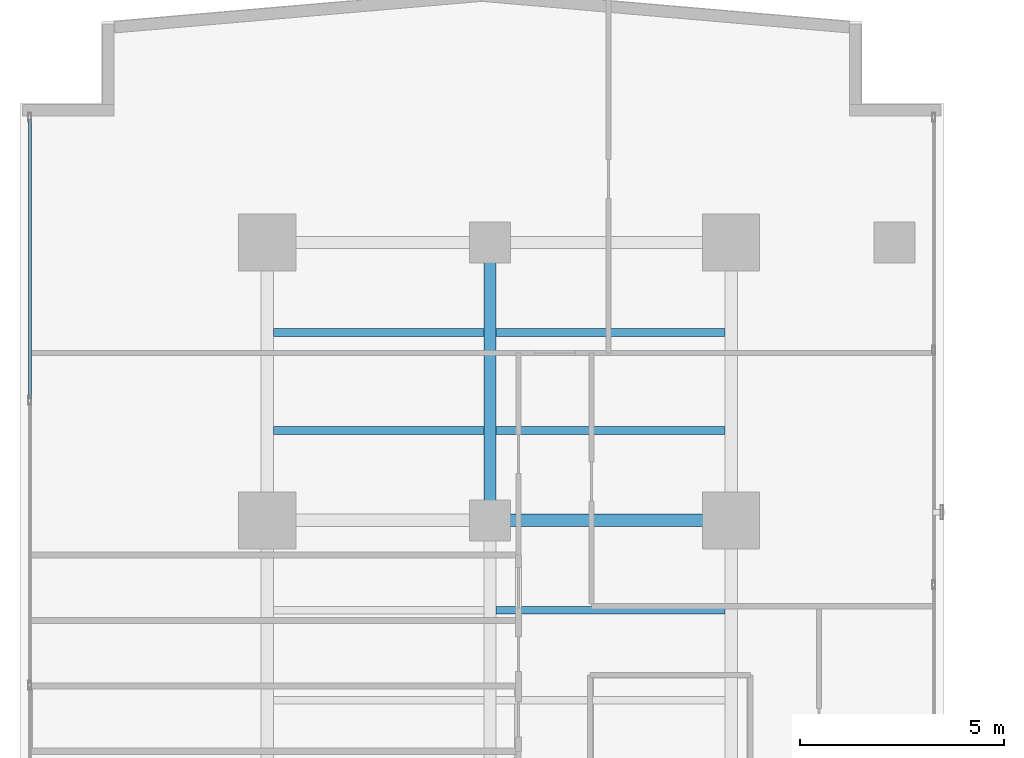
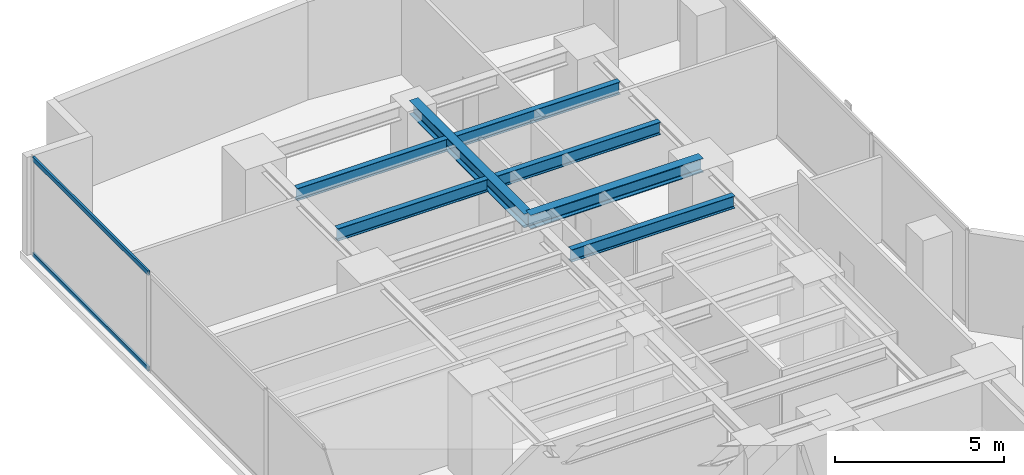
# One storey, part 17 of 28: 7 beams, 2 members, 1 element without a shape of its own.
"""IFC4 building model written with IfcOpenShell, lengths in metres."""

from ifc_helpers import new_model, si_unit, direction, frame, origin, origin_with_axes, origin_2d, place, context, subcontext, project, spatial, hollow_rectangle, i_section, extrude, source, transform, mapped, material, layer, layer_set, material_profile, profile_set, type_object, element, aggregate, save


model = new_model("IFC4")

# Units and contexts
model_context = context("Model", 3, precision=1e-05, world=origin(), true_north=direction((0.0, 1.0)))
body_context = subcontext(model_context, "Body", "Model", "MODEL_VIEW")
ifc_project = project(units=[si_unit("LENGTHUNIT", "METRE"), si_unit("AREAUNIT", "SQUARE_METRE"), si_unit("VOLUMEUNIT", "CUBIC_METRE"), si_unit("PLANEANGLEUNIT", "RADIAN"), si_unit("MASSUNIT", "GRAM", prefix="KILO")], contexts=[model_context])

# Site, building, storey
site_placement = place(None, origin())
site = spatial("IfcSite", under=ifc_project, at=site_placement, CompositionType="ELEMENT")
building_placement = place(site_placement, origin())
building = spatial("IfcBuilding", under=site, at=building_placement, Name="Kolvaren Waterfront Exchange", CompositionType="ELEMENT")
storey_placement = place(building_placement, frame((0.0, 0.0, 114.5)))
storey = spatial("IfcBuildingStorey", under=building, at=storey_placement, Name="L29", CompositionType="ELEMENT", Elevation=114.5)

# Beams
ifc_material_1 = material(Name="Steel S355", Category="steel")
ifc_material_profile_1 = material_profile(ifc_material_1, i_section(OverallWidth=0.300048828125, OverallDepth=0.5, WebThickness=0.014404296875, FlangeThickness=0.028076171875, FilletRadius=0.027099609375, at=origin_2d()), Name="HEB500")
ifc_profile_set_1 = profile_set([ifc_material_profile_1], Name="Steel S355")
beam_type_1 = type_object("IfcBeamType", Name="STR-BM-HEB500", PredefinedType="BEAM", material=ifc_profile_set_1)
beam_1_placement = place(storey_placement, frame((12.89990234375, 37.800048828125, 3.2900390625), z_axis=(1.0, 0.0, 0.0), x_axis=(0.0, 1.0, 0.0)))
element("IfcBeam", 1, at=beam_1_placement, inside=storey, type_object=beam_type_1, Name="L29 north-arm girder 3B", PredefinedType="BEAM", context=body_context, shape_type="SweptSolid", body=[
    extrude(i_section(OverallWidth=0.300048828125, OverallDepth=0.5, WebThickness=0.014404296875, FlangeThickness=0.028076171875, FilletRadius=0.027099609375, at=origin_2d()), origin(), (0.0, 0.0, 1.0), 5.900146484375),
])
beam_2_placement = place(storey_placement, frame((12.89990234375, 37.800048828125, 3.2900390625), z_axis=(0.0, 1.0, 0.0), x_axis=(-1.0, 0.0, 0.0)))
element("IfcBeam", 2, at=beam_2_placement, inside=storey, type_object=beam_type_1, Name="L29 north-arm edge beam 3", PredefinedType="BEAM", context=body_context, shape_type="SweptSolid", body=[
    extrude(i_section(OverallWidth=0.300048828125, OverallDepth=0.5, WebThickness=0.014404296875, FlangeThickness=0.028076171875, FilletRadius=0.027099609375, at=origin_2d()), origin(), (0.0, 0.0, 1.0), 6.800048828125),
])
ifc_material_profile_2 = material_profile(ifc_material_1, i_section(OverallWidth=0.18994140625, OverallDepth=0.449951171875, WebThickness=0.009521484375, FlangeThickness=0.0146484375, FilletRadius=0.02099609375, at=origin_2d()), Name="IPE450")
ifc_profile_set_2 = profile_set([ifc_material_profile_2], Name="Steel S355")
beam_type_2 = type_object("IfcBeamType", Name="STR-BM-IPE450", PredefinedType="JOIST", material=ifc_profile_set_2)
beam_3_placement = place(storey_placement, frame((13.052001953125, 35.60009765625, 3.31494140625), z_axis=(1.0, 0.0, 0.0), x_axis=(0.0, 1.0, 0.0)))
element("IfcBeam", 3, at=beam_3_placement, inside=storey, type_object=beam_type_2, Name="L29 north-arm composite joist 4B", PredefinedType="JOIST", context=body_context, shape_type="SweptSolid", body=[
    extrude(i_section(OverallWidth=0.18994140625, OverallDepth=0.449951171875, WebThickness=0.009521484375, FlangeThickness=0.0146484375, FilletRadius=0.02099609375, at=origin_2d()), origin(), (0.0, 0.0, 1.0), 5.595947265625),
])
beam_4_placement = place(storey_placement, frame((7.60205078125, 40.0, 3.31494140625), z_axis=(1.0, 0.0, 0.0), x_axis=(0.0, 1.0, 0.0)))
element("IfcBeam", 4, at=beam_4_placement, inside=storey, type_object=beam_type_2, Name="L29 north-arm composite joist 5A", PredefinedType="JOIST", context=body_context, shape_type="SweptSolid", body=[
    extrude(i_section(OverallWidth=0.18994140625, OverallDepth=0.449951171875, WebThickness=0.009521484375, FlangeThickness=0.0146484375, FilletRadius=0.02099609375, at=origin_2d()), origin(), (0.0, 0.0, 1.0), 5.14599609375),
])
beam_5_placement = place(storey_placement, frame((13.052001953125, 40.0, 3.31494140625), z_axis=(1.0, 0.0, 0.0), x_axis=(0.0, 1.0, 0.0)))
element("IfcBeam", 5, at=beam_5_placement, inside=storey, type_object=beam_type_2, Name="L29 north-arm composite joist 5B", PredefinedType="JOIST", context=body_context, shape_type="SweptSolid", body=[
    extrude(i_section(OverallWidth=0.18994140625, OverallDepth=0.449951171875, WebThickness=0.009521484375, FlangeThickness=0.0146484375, FilletRadius=0.02099609375, at=origin_2d()), origin(), (0.0, 0.0, 1.0), 5.595947265625),
])
beam_6_placement = place(storey_placement, frame((7.60205078125, 42.39990234375, 3.31494140625), z_axis=(1.0, 0.0, 0.0), x_axis=(0.0, 1.0, 0.0)))
element("IfcBeam", 6, at=beam_6_placement, inside=storey, type_object=beam_type_2, Name="L29 north-arm composite joist 6A", PredefinedType="JOIST", context=body_context, shape_type="SweptSolid", body=[
    extrude(i_section(OverallWidth=0.18994140625, OverallDepth=0.449951171875, WebThickness=0.009521484375, FlangeThickness=0.0146484375, FilletRadius=0.02099609375, at=origin_2d()), origin(), (0.0, 0.0, 1.0), 5.14599609375),
])
beam_7_placement = place(storey_placement, frame((13.052001953125, 42.39990234375, 3.31494140625), z_axis=(1.0, 0.0, 0.0), x_axis=(0.0, 1.0, 0.0)))
element("IfcBeam", 7, at=beam_7_placement, inside=storey, type_object=beam_type_2, Name="L29 north-arm composite joist 6B", PredefinedType="JOIST", context=body_context, shape_type="SweptSolid", body=[
    extrude(i_section(OverallWidth=0.18994140625, OverallDepth=0.449951171875, WebThickness=0.009521484375, FlangeThickness=0.0146484375, FilletRadius=0.02099609375, at=origin_2d()), origin(), (0.0, 0.0, 1.0), 5.595947265625),
])

# Curtain wall, members
ifc_material_2 = material(Name="Anodised aluminium 6063-T6", Category="aluminium")
ifc_layer = layer(ifc_material_2, 0.219970703125, Name="Anodised aluminium 6063-T6")
ifc_layer_set = layer_set([ifc_layer], Name="Anodised aluminium 6063-T6")
curtain_wall_type = type_object("IfcCurtainWallType", Name="ARC-CW-SYS2", PredefinedType="USERDEFINED", material=ifc_layer_set)
curtain_wall_placement = place(storey_placement, origin())
curtain_wall = element("IfcCurtainWall", 8, at=curtain_wall_placement, inside=storey, type_object=curtain_wall_type, Name="L29 stick curtain wall CW2 (CW-L29-W)", ObjectType="STICK CURTAIN WALL", PredefinedType="USERDEFINED")
ifc_material_profile_3 = material_profile(ifc_material_2, hollow_rectangle(XDim=0.074951171875, YDim=0.159912109375, WallThickness=0.00439453125, at=origin_2d()), Name="ALU-TRN-160x75x4.5")
ifc_profile_set_3 = profile_set([ifc_material_profile_3], Name="Anodised aluminium 6063-T6")
member_type = type_object("IfcMemberType", Name="ARC-CWT-160", PredefinedType="USERDEFINED", material=ifc_profile_set_3)
shared_shape = source(origin_with_axes(), body_context, "Body", "SweptSolid", [
    extrude(hollow_rectangle(XDim=0.074951171875, YDim=0.159912109375, WallThickness=0.00439453125, at=origin_2d()), origin(), (0.0, 0.0, 1.0), 6.8466796875),
])
member_1_placement = place(storey_placement, frame((1.639892578125, 40.7734375, 0.03759765625), z_axis=(0.0, 1.0, 0.0), x_axis=(-1.0, 0.0, 0.0)))
member_1 = element("IfcMember", 9, at=member_1_placement, type_object=member_type, Name="CW2 transom 6.1", ObjectType="TRANSOM", PredefinedType="USERDEFINED", context=body_context, shape_type="MappedRepresentation", body=[
    mapped(shared_shape, transform((0.0, 0.0, 0.0), x_axis=(1.0, 0.0, 0.0), y_axis=(0.0, 1.0, 0.0), z_axis=(0.0, 0.0, 1.0), scale=1.0)),
])
member_2_placement = place(storey_placement, frame((1.639892578125, 40.7734375, 3.50244140625), z_axis=(0.0, 1.0, 0.0), x_axis=(-1.0, 0.0, 0.0)))
member_2 = element("IfcMember", 10, at=member_2_placement, type_object=member_type, Name="CW2 transom 6.2", ObjectType="TRANSOM", PredefinedType="USERDEFINED", context=body_context, shape_type="MappedRepresentation", body=[
    mapped(shared_shape, transform((0.0, 0.0, 0.0), x_axis=(1.0, 0.0, 0.0), y_axis=(0.0, 1.0, 0.0), z_axis=(0.0, 0.0, 1.0), scale=1.0)),
])
aggregate(curtain_wall, [member_1, member_2])

save(model, "model.ifc")
